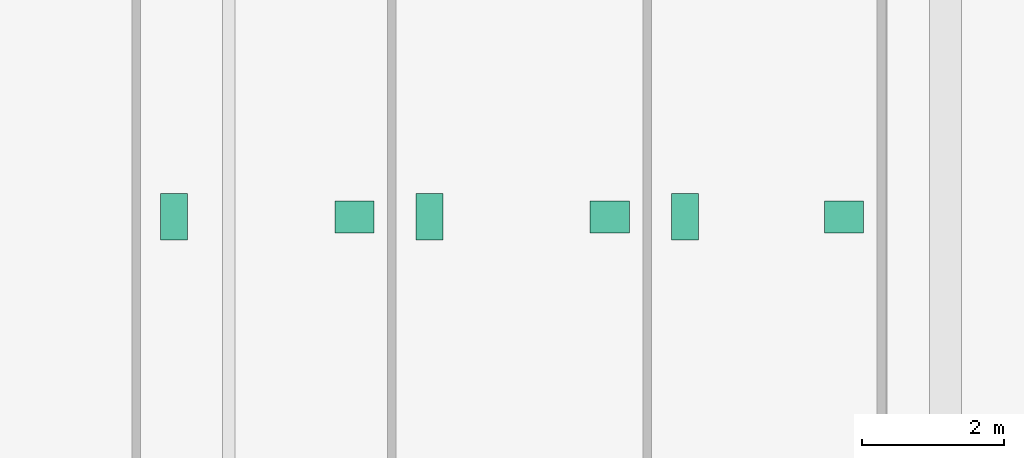
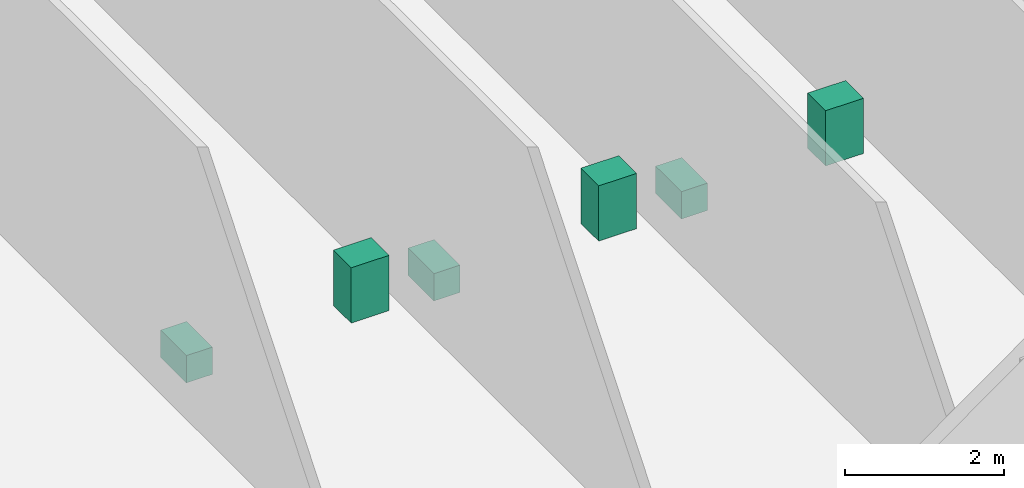
# One storey, part 15 of 15: 6 sanitary terminals.
"""IFC4 building model written with IfcOpenShell, lengths in metres."""

from ifc_helpers import new_model, si_unit, direction, frame, origin, origin_2d, place, context, subcontext, project, spatial, rectangle, extrude, material, type_object, element, save


model = new_model("IFC4")

# Units and contexts
model_context = context("Model", 3, precision=1e-05, world=origin(), true_north=direction((0.0, 1.0)))
body_context = subcontext(model_context, "Body", "Model", "MODEL_VIEW")
ifc_project = project(units=[si_unit("LENGTHUNIT", "METRE"), si_unit("AREAUNIT", "SQUARE_METRE"), si_unit("VOLUMEUNIT", "CUBIC_METRE"), si_unit("PLANEANGLEUNIT", "RADIAN"), si_unit("MASSUNIT", "GRAM", prefix="KILO")], contexts=[model_context])

# Site, building, storey
site_placement = place(None, origin())
site = spatial("IfcSite", under=ifc_project, at=site_placement, CompositionType="ELEMENT")
building_placement = place(site_placement, origin())
building = spatial("IfcBuilding", under=site, at=building_placement, Name="Kranthara Brick Stack", CompositionType="ELEMENT")
storey_placement = place(building_placement, frame((0.0, 0.0, 202.699951171875)))
storey = spatial("IfcBuildingStorey", under=building, at=storey_placement, Name="L52", CompositionType="ELEMENT", Elevation=202.699951171875)

# Sanitary terminals
ifc_material_1 = material(Name="Vitreous china sanitary porcelain", Category="other")
sanitary_terminal_type_1 = type_object("IfcSanitaryTerminalType", Name="SAN-BASIN", PredefinedType="WASHHANDBASIN", material=ifc_material_1)
for number, where, z_axis, x_axis, name in (
    (1, (12.469970703125, 43.955078125, 0.0), (0.0, 0.0, 1.0), (1.0, 0.0, 0.0), "L52 Washbasin 288"),
    (2, (16.070068359375, 43.955078125, 0.0), (0.0, 0.0, 1.0), (1.0, 0.0, 0.0), "L52 Washbasin 289"),
    (3, (19.3701171875, 43.955078125, 0.0), (0.0, 0.0, 1.0), (1.0, 0.0, 0.0), "L52 Washbasin 290"),
):
    element("IfcSanitaryTerminal", number, at=place(storey_placement, frame(where, z_axis=z_axis, x_axis=x_axis)), inside=storey, type_object=sanitary_terminal_type_1, Name=name, PredefinedType="WASHHANDBASIN", context=body_context, shape_type="SweptSolid", body=[
        extrude(rectangle(XDim=0.550048828125, YDim=0.449951171875, at=origin_2d()), origin(), (0.0, 0.0, 1.0), 0.85009765625),
    ])
ifc_material_2 = material(Name="Vitreous china sanitary porcelain", Category="other")
sanitary_terminal_type_2 = type_object("IfcSanitaryTerminalType", Name="SAN-WC-PAN", PredefinedType="TOILETPAN", material=ifc_material_2)
for number, where, z_axis, x_axis, name in (
    (4, (9.929931640625, 43.955078125, 0.0), (0.0, 0.0, 1.0), (1.0, 0.0, 0.0), "L52 WC Pan 288"),
    (5, (13.530029296875, 43.955078125, 0.0), (0.0, 0.0, 1.0), (1.0, 0.0, 0.0), "L52 WC Pan 289"),
    (6, (17.1298828125, 43.955078125, 0.0), (0.0, 0.0, 1.0), (1.0, 0.0, 0.0), "L52 WC Pan 290"),
):
    element("IfcSanitaryTerminal", number, at=place(storey_placement, frame(where, z_axis=z_axis, x_axis=x_axis)), inside=storey, type_object=sanitary_terminal_type_2, Name=name, PredefinedType="TOILETPAN", context=body_context, shape_type="SweptSolid", body=[
        extrude(rectangle(XDim=0.3798828125, YDim=0.64990234375, at=origin_2d()), origin(), (0.0, 0.0, 1.0), 0.419921875),
    ])

save(model, "model.ifc")
